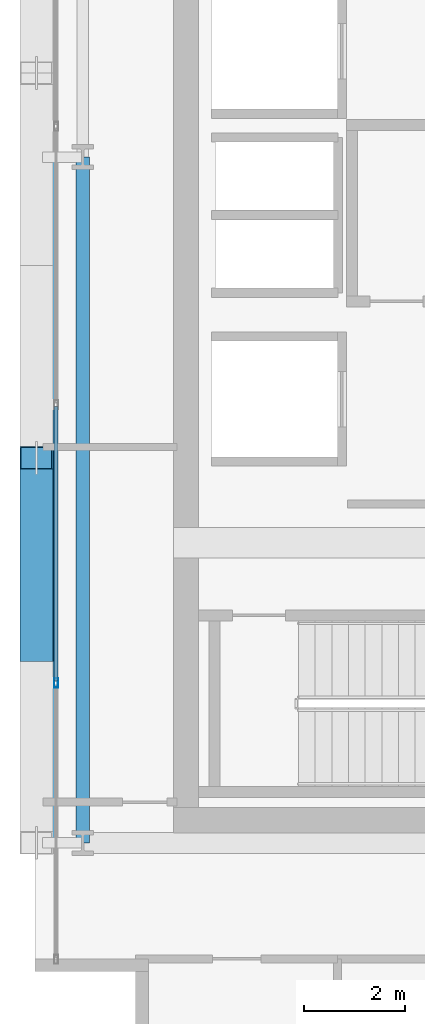
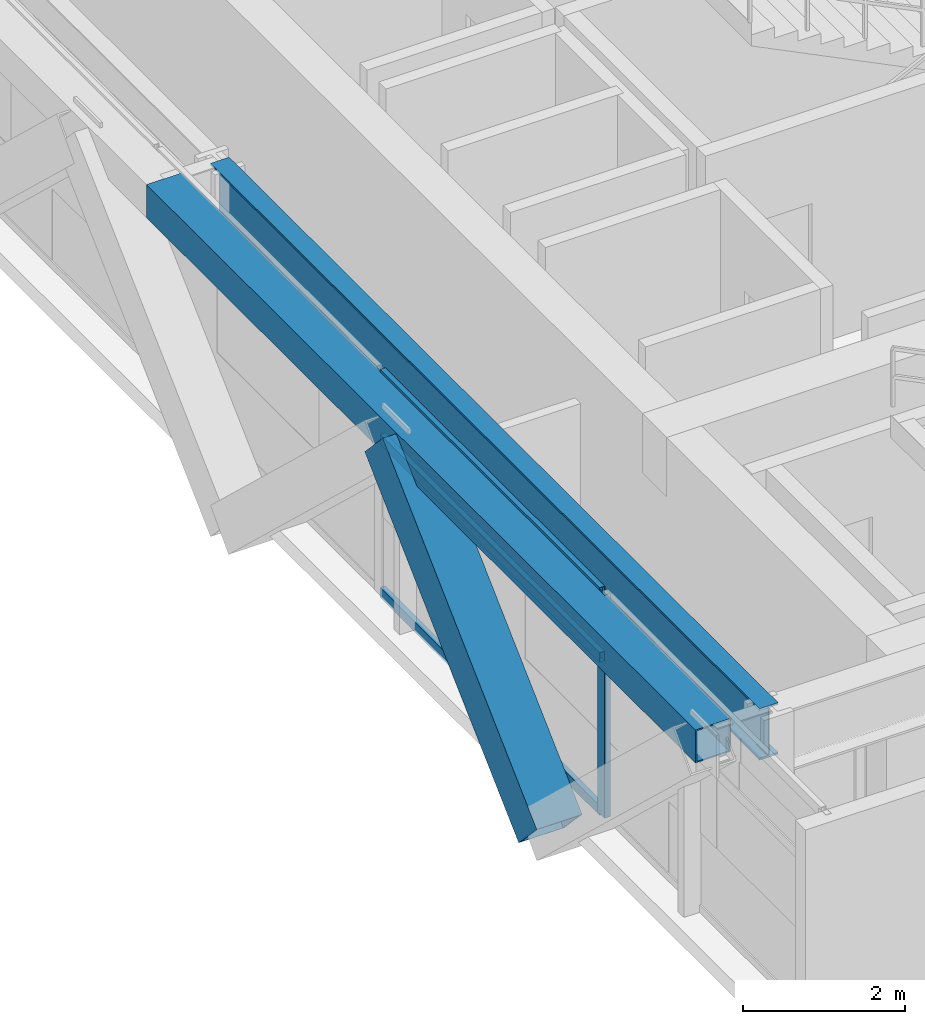
# One storey, part 4 of 32: 5 members, 2 beams, 1 element without a shape of its own.
"""IFC4 building model written with IfcOpenShell, lengths in metres."""

import ifcopenshell
import ifcopenshell.guid

model = None  # the IFC model being written
_history = None  # IfcOwnerHistory: only IFC2X3 demands one
_inside = {}  # id of a spatial element -> (the spatial element, [elements in it])
_under = {}  # id of a project, library or spatial element -> (it, [spatial elements below it])
_declared = {}  # id of a project -> (the project, [libraries it declares])
_typed = {}  # id of a type object -> (the type object, [elements of that type])
_made_of = {}  # id of a material, layer set ... -> (it, [elements and type objects made of it])


def new_model(schema):
    """Start an empty IFC model of exactly this schema.

    Asked for "IFC4X3", IfcOpenShell would pick the latest addendum, in which some entities
    have other attributes; the version numbers below select the first issue.
    IFC2X3 requires an IfcOwnerHistory on every rooted entity: one is made here for all.
    """
    global model, _history
    if schema == "IFC4X3":
        model = ifcopenshell.file(schema_version=(4, 3, 0, 0))
    else:
        model = ifcopenshell.file(schema=schema)
    _inside.clear()
    _under.clear()
    _declared.clear()
    _typed.clear()
    _made_of.clear()
    _history = None
    if model.schema == "IFC2X3":
        org = make("IfcOrganization", Name="unknown")
        user = make(
            "IfcPersonAndOrganization",
            ThePerson=make("IfcPerson", FamilyName="unknown"),
            TheOrganization=org,
        )
        app = make(
            "IfcApplication",
            ApplicationDeveloper=org,
            Version="unknown",
            ApplicationFullName="unknown",
            ApplicationIdentifier="unknown",
        )
        _history = make(
            "IfcOwnerHistory",
            OwningUser=user,
            OwningApplication=app,
            ChangeAction="ADDED",
            CreationDate=0,
        )
    return model


def make(cls, **values):
    """One entity of the class cls with the attributes given. An attribute that is None is left unset."""
    return model.create_entity(
        cls, **{name: value for name, value in values.items() if value is not None}
    )


def rooted(cls, **values):
    """An entity with a GlobalId (a new one), such as an element, a storey or a relation."""
    return make(cls, GlobalId=ifcopenshell.guid.new(), OwnerHistory=_history, **values)


def si_unit(unit_type, name, prefix=None):
    """IfcSIUnit, for example si_unit("LENGTHUNIT", "METRE", prefix="MILLI")."""
    return make("IfcSIUnit", UnitType=unit_type, Prefix=prefix, Name=name)


def assignment(units):
    """IfcUnitAssignment: the units of a project."""
    return None if units is None else make("IfcUnitAssignment", Units=units)


def point(xyz):
    """IfcCartesianPoint."""
    return None if xyz is None else make("IfcCartesianPoint", Coordinates=xyz)


def direction(xyz):
    """IfcDirection."""
    return None if xyz is None else make("IfcDirection", DirectionRatios=xyz)


def frame(location, z_axis=None, x_axis=None):
    """IfcAxis2Placement3D, a coordinate frame: its origin and axes. An axis left out is left unset."""
    return make(
        "IfcAxis2Placement3D",
        Location=point(location),
        Axis=direction(z_axis),
        RefDirection=direction(x_axis),
    )


def frame_2d(location, x_axis=None):
    """IfcAxis2Placement2D, a coordinate frame in the plane: its origin and x axis."""
    return make(
        "IfcAxis2Placement2D", Location=point(location), RefDirection=direction(x_axis)
    )


def origin():
    """The frame at (0, 0, 0) with its axes left unset."""
    return frame((0.0, 0.0, 0.0))


def origin_2d():
    """The frame at (0, 0) in the plane with its x axis left unset."""
    return frame_2d((0.0, 0.0))


def place(relative_to, where):
    """IfcLocalPlacement: puts the frame where relative to a parent placement (None: the world)."""
    return make(
        "IfcLocalPlacement", PlacementRelTo=relative_to, RelativePlacement=where
    )


def context(
    kind, dimensions, precision=None, world=None, true_north=None, identifier=None
):
    """IfcGeometricRepresentationContext, for example the 3D "Model" context."""
    return make(
        "IfcGeometricRepresentationContext",
        ContextIdentifier=identifier,
        ContextType=kind,
        CoordinateSpaceDimension=dimensions,
        Precision=precision,
        WorldCoordinateSystem=world,
        TrueNorth=true_north,
    )


def subcontext(parent, identifier, kind, view, scale=None):
    """IfcGeometricRepresentationSubContext, for example "Body" below "Model"."""
    return make(
        "IfcGeometricRepresentationSubContext",
        ContextIdentifier=identifier,
        ContextType=kind,
        ParentContext=parent,
        TargetScale=scale,
        TargetView=view,
    )


def project(units=None, contexts=None):
    """IfcProject with its units and contexts."""
    return rooted(
        "IfcProject",
        Name="project",
        RepresentationContexts=contexts,
        UnitsInContext=assignment(units),
    )


def spatial(cls, under=None, at=None, **own):
    """A site, building, storey or space (cls), placed at a placement, below another one or the project."""
    s = rooted(cls, ObjectPlacement=at, **own)
    if under is not None:
        _under.setdefault(under.id(), (under, []))[1].append(s)
    return s


def profile(cls, at=None, kind="AREA", **sizes):
    """A parametric profile (cls). Its sizes go by their IFC names, for example OverallWidth=200.0."""
    return make(cls, ProfileType=kind, Position=at, **sizes)


def hollow_rectangle(**sizes):
    """IfcRectangleHollowProfileDef."""
    return profile("IfcRectangleHollowProfileDef", **sizes)


def i_section(**sizes):
    """IfcIShapeProfileDef."""
    return profile("IfcIShapeProfileDef", **sizes)


def extrude(swept, where, along, depth):
    """IfcExtrudedAreaSolid: the profile swept, set in the frame where, extruded along a direction by depth."""
    return make(
        "IfcExtrudedAreaSolid",
        SweptArea=swept,
        Position=where,
        ExtrudedDirection=direction(along),
        Depth=depth,
    )


def shape(context_of_items, identifier, shape_type, items):
    """IfcShapeRepresentation: the items that make up one representation, for example the "Body"."""
    return make(
        "IfcShapeRepresentation",
        ContextOfItems=context_of_items,
        RepresentationIdentifier=identifier,
        RepresentationType=shape_type,
        Items=items,
    )


def source(mapping_origin, context_of_items, identifier, shape_type, items):
    """IfcRepresentationMap: a shape defined once, which mapped items show again and again."""
    return make(
        "IfcRepresentationMap",
        MappingOrigin=mapping_origin,
        MappedRepresentation=shape(context_of_items, identifier, shape_type, items),
    )


def transform(
    local_origin,
    x_axis=None,
    y_axis=None,
    z_axis=None,
    scale=None,
    scale2=None,
    scale3=None,
    uniform=True,
):
    """IfcCartesianTransformationOperator3D, or its non-uniform kind. x_axis, y_axis, z_axis: its Axis1, 2, 3."""
    if uniform:
        return make(
            "IfcCartesianTransformationOperator3D",
            Axis1=direction(x_axis),
            Axis2=direction(y_axis),
            LocalOrigin=point(local_origin),
            Scale=scale,
            Axis3=direction(z_axis),
        )
    return make(
        "IfcCartesianTransformationOperator3DnonUniform",
        Axis1=direction(x_axis),
        Axis2=direction(y_axis),
        LocalOrigin=point(local_origin),
        Scale=scale,
        Axis3=direction(z_axis),
        Scale2=scale2,
        Scale3=scale3,
    )


def mapped(mapping_source, mapping_target):
    """IfcMappedItem: shows the shape of a source again, moved by a transform."""
    return make(
        "IfcMappedItem", MappingSource=mapping_source, MappingTarget=mapping_target
    )


def material(Name=None, Category=None):
    """IfcMaterial."""
    return make("IfcMaterial", Name=Name, Category=Category)


def layer(
    of_material, thickness, ventilated=None, Name=None, Category=None, Priority=None
):
    """IfcMaterialLayer: one layer of a wall or slab, of a material (None: an air gap)."""
    return make(
        "IfcMaterialLayer",
        Material=of_material,
        LayerThickness=thickness,
        IsVentilated=ventilated,
        Name=Name,
        Category=Category,
        Priority=Priority,
    )


def layer_set(layers, Name=None):
    """IfcMaterialLayerSet."""
    return make("IfcMaterialLayerSet", MaterialLayers=layers, LayerSetName=Name)


def material_profile(
    of_material, cross_section, Name=None, Category=None, Priority=None
):
    """IfcMaterialProfile: a cross section and its material."""
    return make(
        "IfcMaterialProfile",
        Name=Name,
        Material=of_material,
        Profile=cross_section,
        Priority=Priority,
        Category=Category,
    )


def profile_set(profiles, Name=None, composite=None):
    """IfcMaterialProfileSet."""
    return make(
        "IfcMaterialProfileSet",
        Name=Name,
        MaterialProfiles=profiles,
        CompositeProfile=composite,
    )


def made_of(thing, what):
    """Note that an element or type object is made of a material, layer set ...; save() writes the relation."""
    if what is not None:
        _made_of.setdefault(what.id(), (what, []))[1].append(thing)
    return thing


def type_object(cls, material=None, **own):
    """A type object (cls), such as IfcWallType, which elements share."""
    return made_of(rooted(cls, **own), material)


def element(
    cls,
    number,
    at=None,
    inside=None,
    cuts=None,
    type_object=None,
    material=None,
    context=None,
    identifier="Body",
    shape_type=None,
    held_by="IfcProductDefinitionShape",
    body=None,
    shapes=None,
    **own,
):
    """One element of the class cls, such as IfcWall. Its Tag is "e" and its number.

    at: its placement. inside: the storey or other place that contains it. cuts: it is an
    opening in that element (IfcRelVoidsElement). A single representation is given by context,
    identifier, shape_type and body (its items); several are given by shapes. held_by: the class
    of the entity that holds the representations. save() writes the other relations.
    """
    e = rooted(cls, Tag="e%d" % number, ObjectPlacement=at, **own)
    if body is not None:
        shapes = [shape(context, identifier, shape_type, body)]
    if shapes is not None:
        e.Representation = make(held_by, Representations=shapes)
    if inside is not None:
        _inside.setdefault(inside.id(), (inside, []))[1].append(e)
    if cuts is not None:
        rooted(
            "IfcRelVoidsElement", RelatingBuildingElement=cuts, RelatedOpeningElement=e
        )
    if type_object is not None:
        _typed.setdefault(type_object.id(), (type_object, []))[1].append(e)
    return made_of(e, material)


def aggregate(whole, parts):
    """IfcRelAggregates: a whole, such as a stair, and the parts it consists of."""
    return rooted("IfcRelAggregates", RelatingObject=whole, RelatedObjects=parts)


def save(model, path):
    """Write the relations noted so far, then the file.

    IfcRelAggregates (storeys below a building ...), IfcRelContainedInSpatialStructure (elements
    in a storey), IfcRelDefinesByType, IfcRelAssociatesMaterial and IfcRelDeclares: one each for
    every whole, place, type object, material and project.
    """
    for whole, parts in _under.values():
        aggregate(whole, parts)
    for where, things in _inside.values():
        rooted(
            "IfcRelContainedInSpatialStructure",
            RelatedElements=things,
            RelatingStructure=where,
        )
    for kind, things in _typed.values():
        rooted("IfcRelDefinesByType", RelatedObjects=things, RelatingType=kind)
    for what, things in _made_of.values():
        rooted("IfcRelAssociatesMaterial", RelatedObjects=things, RelatingMaterial=what)
    for by, libraries in _declared.values():
        rooted("IfcRelDeclares", RelatingContext=by, RelatedDefinitions=libraries)
    model.write(path)


model = new_model("IFC4")

# Units and contexts
model_context = context("Model", 3, precision=1e-05, world=origin(), true_north=direction((0.0, 1.0)))
body_context = subcontext(model_context, "Body", "Model", "MODEL_VIEW")
ifc_project = project(units=[si_unit("LENGTHUNIT", "METRE"), si_unit("AREAUNIT", "SQUARE_METRE"), si_unit("VOLUMEUNIT", "CUBIC_METRE"), si_unit("PLANEANGLEUNIT", "RADIAN"), si_unit("MASSUNIT", "GRAM", prefix="KILO")], contexts=[model_context])

# Site, building, storey
site_placement = place(None, origin())
site = spatial("IfcSite", under=ifc_project, at=site_placement, CompositionType="ELEMENT")
building_placement = place(site_placement, origin())
building = spatial("IfcBuilding", under=site, at=building_placement, Name="Ocotamira Hotel", CompositionType="ELEMENT")
storey_placement = place(building_placement, frame((0.0, 0.0, 213.60009765625)))
storey = spatial("IfcBuildingStorey", under=building, at=storey_placement, Name="L54", CompositionType="ELEMENT", Elevation=213.60009765625)

# Beams
ifc_material_1 = material(Name="Steel ASTM A992 Grade 50", Category="steel")
ifc_material_profile_1 = material_profile(ifc_material_1, i_section(OverallWidth=0.26611328125, OverallDepth=0.779052734375, WebThickness=0.0166015625, FlangeThickness=0.030029296875, FilletRadius=0.01806640625, at=origin_2d()), Name="W30X148")
ifc_profile_set_1 = profile_set([ifc_material_profile_1], Name="Steel ASTM A992 Grade 50")
beam_type_1 = type_object("IfcBeamType", Name="BM-GIRD-W30X148", PredefinedType="BEAM", material=ifc_profile_set_1)
shared_shape_1 = source(origin(), body_context, "Body", "SweptSolid", [
    extrude(i_section(OverallWidth=0.26611328125, OverallDepth=0.779052734375, WebThickness=0.0166015625, FlangeThickness=0.030029296875, FilletRadius=0.01806640625, at=origin_2d()), origin(), (0.0, 0.0, 1.0), 13.599853515625),
])
beam_1_placement = place(storey_placement, frame((8.949951171875, 14.550048828125, 2.98046875), z_axis=(0.0, 1.0, 0.0), x_axis=(-1.0, 0.0, 0.0)))
element("IfcBeam", 1, at=beam_1_placement, inside=storey, type_object=beam_type_1, Name="L54 Beam X8.95 Y14.55-28.15", PredefinedType="BEAM", context=body_context, shape_type="MappedRepresentation", body=[
    mapped(shared_shape_1, transform((0.0, 0.0, 0.0), scale=1.0)),
])
ifc_material_2 = material(Name="Steel ASTM A500 Grade C", Category="steel")
ifc_material_profile_2 = material_profile(ifc_material_2, hollow_rectangle(XDim=0.5, YDim=0.5, WallThickness=0.02001953125, at=origin_2d()), Name="HSS500X500X20")
ifc_profile_set_2 = profile_set([ifc_material_profile_2], Name="Steel ASTM A500 Grade C")
beam_type_2 = type_object("IfcBeamType", Name="BM-SPAN-HSS500", PredefinedType="USERDEFINED", material=ifc_profile_set_2)
shared_shape_2 = source(origin(), body_context, "Body", "SweptSolid", [
    extrude(hollow_rectangle(XDim=0.5, YDim=0.5, WallThickness=0.02001953125, at=origin_2d()), origin(), (0.0, 0.0, 1.0), 13.599853515625),
])
beam_2_placement = place(storey_placement, frame((8.14990234375, 14.550048828125, 3.119873046875), z_axis=(0.0, 1.0, 0.0), x_axis=(-1.0, 0.0, 0.0)))
element("IfcBeam", 2, at=beam_2_placement, inside=storey, type_object=beam_type_2, Name="L54 Edge Spandrel W Y14.55-28.15", ObjectType="SPANDREL", PredefinedType="USERDEFINED", context=body_context, shape_type="MappedRepresentation", body=[
    mapped(shared_shape_2, transform((0.0, 0.0, 0.0), scale=1.0)),
])

# Member
ifc_material_3 = material(Name="Pale-metal coated steel ASTM A913 Grade 65", Category="steel")
ifc_material_profile_3 = material_profile(ifc_material_3, hollow_rectangle(XDim=0.64990234375, YDim=0.64990234375, WallThickness=0.02197265625, at=origin_2d()), Name="BOX650X650X22")
ifc_profile_set_3 = profile_set([ifc_material_profile_3], Name="Pale-metal coated steel ASTM A913 Grade 65")
member_type_1 = type_object("IfcMemberType", Name="MEM-EXO-BOX650", PredefinedType="BRACE", material=ifc_profile_set_3)
shared_shape_3 = source(origin(), body_context, "Body", "SweptSolid", [
    extrude(hollow_rectangle(XDim=0.64990234375, YDim=0.64990234375, WallThickness=0.02197265625, at=origin_2d()), origin(), (0.0, 0.0, 1.0), 5.24658203125),
])
member_1_placement = place(storey_placement, frame((8.030029296875, 18.36669921875, -0.47998046875), z_axis=(0.0, 0.72746596067, 0.686143772154), x_axis=(-1.0, 0.0, 0.0)))
element("IfcMember", 3, at=member_1_placement, inside=storey, type_object=member_type_1, Name="L54 Exoskeleton Diagrid W0.2", PredefinedType="BRACE", context=body_context, shape_type="MappedRepresentation", body=[
    mapped(shared_shape_3, transform((0.0, 0.0, 0.0), scale=1.0)),
])

# Curtain wall, members
ifc_material_4 = material(Name="Anodised pale-metal aluminium and solar glass", Category="aluminium")
ifc_layer = layer(ifc_material_4, 0.199951171875)
ifc_layer_set = layer_set([ifc_layer], Name="Anodised pale-metal aluminium and solar glass")
curtain_wall_type = type_object("IfcCurtainWallType", Name="CW-SYS4-Z3", PredefinedType="NOTDEFINED", material=ifc_layer_set)
curtain_wall_placement = place(storey_placement, origin())
curtain_wall = element("IfcCurtainWall", 4, at=curtain_wall_placement, inside=storey, type_object=curtain_wall_type, Name="L54 Curtain Wall CW-4 CW-L54-W", PredefinedType="NOTDEFINED")
ifc_material_5 = material(Name="Anodised pale-metal aluminium 6063-T6", Category="aluminium")
ifc_material_profile_4 = material_profile(ifc_material_5, hollow_rectangle(XDim=0.074951171875, YDim=0.14990234375, WallThickness=0.006103515625, at=origin_2d()), Name="HSS150X75X6")
ifc_profile_set_4 = profile_set([ifc_material_profile_4], Name="Anodised pale-metal aluminium 6063-T6")
member_type_2 = type_object("IfcMemberType", Name="CWT-150X75", PredefinedType="USERDEFINED", material=ifc_profile_set_4)
shared_shape_4 = source(origin(), body_context, "Body", "SweptSolid", [
    extrude(hollow_rectangle(XDim=0.074951171875, YDim=0.14990234375, WallThickness=0.006103515625, at=origin_2d()), origin(), (0.0, 0.0, 1.0), 5.43994140625),
])
member_2_placement = place(storey_placement, frame((8.419921875, 17.760009765625, 0.037353515625), z_axis=(0.0, 1.0, 0.0), x_axis=(-1.0, 0.0, 0.0)))
member_2 = element("IfcMember", 5, at=member_2_placement, type_object=member_type_2, Name="CW-4 transom 2.1", ObjectType="TRANSOM", PredefinedType="USERDEFINED", context=body_context, shape_type="MappedRepresentation", body=[
    mapped(shared_shape_4, transform((0.0, 0.0, 0.0), scale=1.0)),
])
member_3_placement = place(storey_placement, frame((8.419921875, 17.760009765625, 2.349853515625), z_axis=(0.0, 1.0, 0.0), x_axis=(-1.0, 0.0, 0.0)))
member_3 = element("IfcMember", 6, at=member_3_placement, type_object=member_type_2, Name="CW-4 transom 2.2", ObjectType="TRANSOM", PredefinedType="USERDEFINED", context=body_context, shape_type="MappedRepresentation", body=[
    mapped(shared_shape_4, transform((0.0, 0.0, 0.0), scale=1.0)),
])
member_4_placement = place(storey_placement, frame((8.419921875, 17.760009765625, 3.33251953125), z_axis=(0.0, 1.0, 0.0), x_axis=(-1.0, 0.0, 0.0)))
member_4 = element("IfcMember", 7, at=member_4_placement, type_object=member_type_2, Name="CW-4 transom 2.3", ObjectType="TRANSOM", PredefinedType="USERDEFINED", context=body_context, shape_type="MappedRepresentation", body=[
    mapped(shared_shape_4, transform((0.0, 0.0, 0.0), scale=1.0)),
])
ifc_material_profile_5 = material_profile(ifc_material_5, hollow_rectangle(XDim=0.080078125, YDim=0.179931640625, WallThickness=0.006103515625, at=origin_2d()), Name="HSS180X80X6")
ifc_profile_set_5 = profile_set([ifc_material_profile_5], Name="Anodised pale-metal aluminium 6063-T6")
member_type_3 = type_object("IfcMemberType", Name="CWM-180X75", PredefinedType="MULLION", material=ifc_profile_set_5)
shared_shape_5 = source(origin(), body_context, "Body", "SweptSolid", [
    extrude(hollow_rectangle(XDim=0.080078125, YDim=0.179931640625, WallThickness=0.006103515625, at=origin_2d()), origin(), (0.0, 0.0, 1.0), 3.369873046875),
])
member_5_placement = place(storey_placement, frame((8.419921875, 17.719970703125, 0.0), z_axis=(0.0, 0.0, 1.0), x_axis=(-1.0, 0.0, 0.0)))
member_5 = element("IfcMember", 8, at=member_5_placement, type_object=member_type_3, Name="CW-4 mullion 2", PredefinedType="MULLION", context=body_context, shape_type="MappedRepresentation", body=[
    mapped(shared_shape_5, transform((0.0, 0.0, 0.0), scale=1.0)),
])
aggregate(curtain_wall, [member_5, member_2, member_3, member_4])

save(model, "model.ifc")
